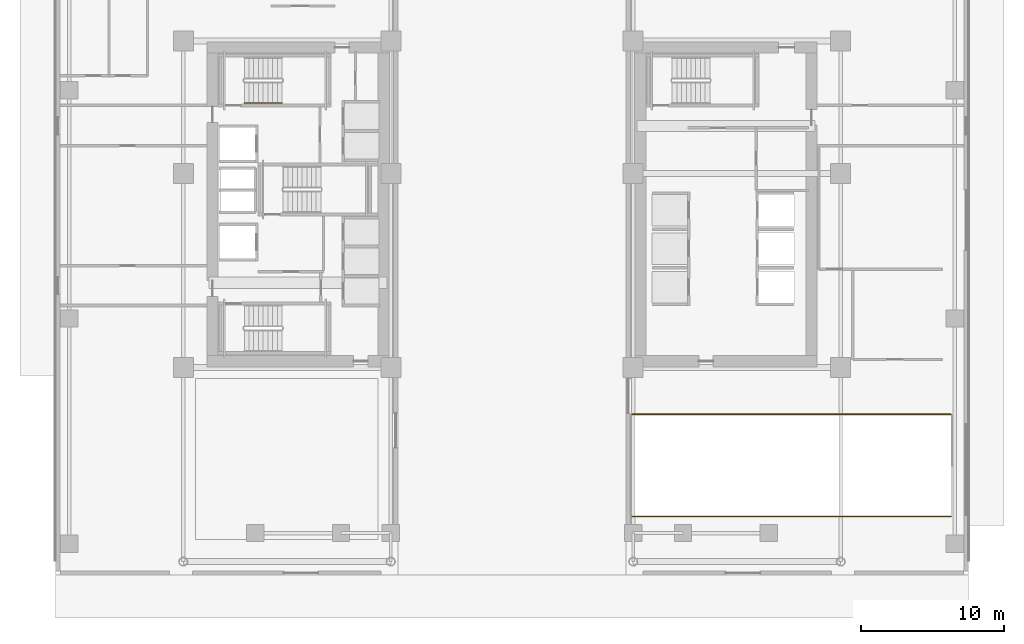
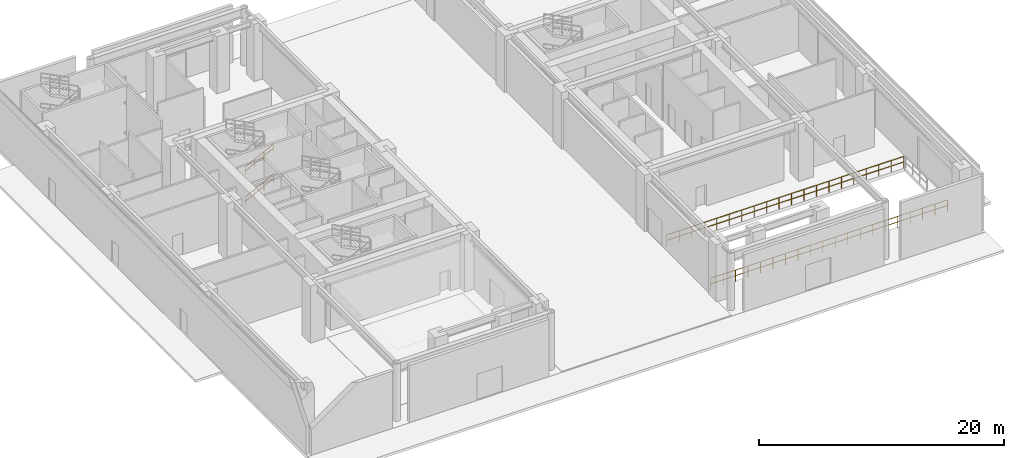
# One storey, part 13 of 17: 4 railings.
"""IFC4 building model written with IfcOpenShell, lengths in metres."""

from ifc_helpers import new_model, si_unit, direction, frame, origin, origin_2d, place, context, subcontext, project, spatial, rectangle, extrude, material, type_object, element, save


model = new_model("IFC4")

# Units and contexts
model_context = context("Model", 3, precision=1e-05, world=origin(), true_north=direction((0.0, 1.0)))
body_context = subcontext(model_context, "Body", "Model", "MODEL_VIEW")
ifc_project = project(units=[si_unit("LENGTHUNIT", "METRE"), si_unit("AREAUNIT", "SQUARE_METRE"), si_unit("VOLUMEUNIT", "CUBIC_METRE"), si_unit("PLANEANGLEUNIT", "RADIAN"), si_unit("MASSUNIT", "GRAM", prefix="KILO")], contexts=[model_context])

# Site, building, storey
site_placement = place(None, origin())
site = spatial("IfcSite", under=ifc_project, at=site_placement, CompositionType="ELEMENT")
building_placement = place(site_placement, origin())
building = spatial("IfcBuilding", under=site, at=building_placement, Name="Ocotamira Hotel", CompositionType="ELEMENT")
storey_placement = place(building_placement, origin())
storey = spatial("IfcBuildingStorey", under=building, at=storey_placement, Name="L01", CompositionType="ELEMENT", Elevation=0.0)

# Railings
ifc_material_1 = material(Name="Painted steel stair guardrail", Category="steel")
railing_type_1 = type_object("IfcRailingType", Name="RL-EDGE-1150", PredefinedType="GUARDRAIL", material=ifc_material_1)
railing_1_placement = place(storey_placement, frame((62.780029296875, 11.280029296875, 0.0)))
element("IfcRailing", 1, at=railing_1_placement, inside=storey, type_object=railing_type_1, Name="L01 Vehicle Ramp Well Guardrail N", PredefinedType="GUARDRAIL", context=body_context, shape_type="SweptSolid", body=[
    extrude(rectangle(XDim=0.048095703125, YDim=0.048095703125, at=origin_2d()), frame((0.0, 0.0, 1.1259765625), z_axis=(-1.0, 0.0, 0.0), x_axis=(0.0, -1.0, 0.0)), (0.0, 0.0, 1.0), 22.360107421875),
    extrude(rectangle(XDim=0.048095703125, YDim=0.048095703125, at=origin_2d()), frame((0.0, 0.0, 0.574951171875), z_axis=(-1.0, 0.0, 0.0), x_axis=(0.0, -1.0, 0.0)), (0.0, 0.0, 1.0), 22.360107421875),
    extrude(rectangle(XDim=0.0419921875, YDim=0.0419921875, at=origin_2d()), origin(), (0.0, 0.0, 1.0), 1.101806640625),
    extrude(rectangle(XDim=0.0419921875, YDim=0.0419921875, at=origin_2d()), frame((-1.1767578125, 0.0, 0.0)), (0.0, 0.0, 1.0), 1.101806640625),
    extrude(rectangle(XDim=0.0419921875, YDim=0.0419921875, at=origin_2d()), frame((-2.353759765625, 0.0, 0.0)), (0.0, 0.0, 1.0), 1.101806640625),
    extrude(rectangle(XDim=0.0419921875, YDim=0.0419921875, at=origin_2d()), frame((-3.530517578125, 0.0, 0.0)), (0.0, 0.0, 1.0), 1.101806640625),
    extrude(rectangle(XDim=0.0419921875, YDim=0.0419921875, at=origin_2d()), frame((-4.707275390625, 0.0, 0.0)), (0.0, 0.0, 1.0), 1.101806640625),
    extrude(rectangle(XDim=0.0419921875, YDim=0.0419921875, at=origin_2d()), frame((-5.88427734375, 0.0, 0.0)), (0.0, 0.0, 1.0), 1.101806640625),
    extrude(rectangle(XDim=0.0419921875, YDim=0.0419921875, at=origin_2d()), frame((-7.06103515625, 0.0, 0.0)), (0.0, 0.0, 1.0), 1.101806640625),
    extrude(rectangle(XDim=0.0419921875, YDim=0.0419921875, at=origin_2d()), frame((-8.238037109375, 0.0, 0.0)), (0.0, 0.0, 1.0), 1.101806640625),
    extrude(rectangle(XDim=0.0419921875, YDim=0.0419921875, at=origin_2d()), frame((-9.414794921875, 0.0, 0.0)), (0.0, 0.0, 1.0), 1.101806640625),
    extrude(rectangle(XDim=0.0419921875, YDim=0.0419921875, at=origin_2d()), frame((-10.591552734375, 0.0, 0.0)), (0.0, 0.0, 1.0), 1.101806640625),
    extrude(rectangle(XDim=0.0419921875, YDim=0.0419921875, at=origin_2d()), frame((-11.7685546875, 0.0, 0.0)), (0.0, 0.0, 1.0), 1.101806640625),
    extrude(rectangle(XDim=0.0419921875, YDim=0.0419921875, at=origin_2d()), frame((-12.9453125, 0.0, 0.0)), (0.0, 0.0, 1.0), 1.101806640625),
    extrude(rectangle(XDim=0.0419921875, YDim=0.0419921875, at=origin_2d()), frame((-14.1220703125, 0.0, 0.0)), (0.0, 0.0, 1.0), 1.101806640625),
    extrude(rectangle(XDim=0.0419921875, YDim=0.0419921875, at=origin_2d()), frame((-15.299072265625, 0.0, 0.0)), (0.0, 0.0, 1.0), 1.101806640625),
    extrude(rectangle(XDim=0.0419921875, YDim=0.0419921875, at=origin_2d()), frame((-16.475830078125, 0.0, 0.0)), (0.0, 0.0, 1.0), 1.101806640625),
    extrude(rectangle(XDim=0.0419921875, YDim=0.0419921875, at=origin_2d()), frame((-17.65283203125, 0.0, 0.0)), (0.0, 0.0, 1.0), 1.101806640625),
    extrude(rectangle(XDim=0.0419921875, YDim=0.0419921875, at=origin_2d()), frame((-18.82958984375, 0.0, 0.0)), (0.0, 0.0, 1.0), 1.101806640625),
    extrude(rectangle(XDim=0.0419921875, YDim=0.0419921875, at=origin_2d()), frame((-20.00634765625, 0.0, 0.0)), (0.0, 0.0, 1.0), 1.101806640625),
    extrude(rectangle(XDim=0.0419921875, YDim=0.0419921875, at=origin_2d()), frame((-21.183349609375, 0.0, 0.0)), (0.0, 0.0, 1.0), 1.101806640625),
    extrude(rectangle(XDim=0.0419921875, YDim=0.0419921875, at=origin_2d()), frame((-22.360107421875, 0.0, 0.0)), (0.0, 0.0, 1.0), 1.101806640625),
])
railing_2_placement = place(storey_placement, frame((40.419921875, 4.1201171875, 0.0)))
element("IfcRailing", 2, at=railing_2_placement, inside=storey, type_object=railing_type_1, Name="L01 Vehicle Ramp Well Guardrail S", PredefinedType="GUARDRAIL", context=body_context, shape_type="SweptSolid", body=[
    extrude(rectangle(XDim=0.048095703125, YDim=0.048095703125, at=origin_2d()), frame((0.0, 0.0, 1.1259765625), z_axis=(1.0, 0.0, 0.0), x_axis=(0.0, 1.0, 0.0)), (0.0, 0.0, 1.0), 22.360107421875),
    extrude(rectangle(XDim=0.048095703125, YDim=0.048095703125, at=origin_2d()), frame((0.0, 0.0, 0.574951171875), z_axis=(1.0, 0.0, 0.0), x_axis=(0.0, 1.0, 0.0)), (0.0, 0.0, 1.0), 22.360107421875),
    extrude(rectangle(XDim=0.0419921875, YDim=0.0419921875, at=origin_2d()), origin(), (0.0, 0.0, 1.0), 1.101806640625),
    extrude(rectangle(XDim=0.0419921875, YDim=0.0419921875, at=origin_2d()), frame((1.1767578125, 0.0, 0.0)), (0.0, 0.0, 1.0), 1.101806640625),
    extrude(rectangle(XDim=0.0419921875, YDim=0.0419921875, at=origin_2d()), frame((2.353759765625, 0.0, 0.0)), (0.0, 0.0, 1.0), 1.101806640625),
    extrude(rectangle(XDim=0.0419921875, YDim=0.0419921875, at=origin_2d()), frame((3.530517578125, 0.0, 0.0)), (0.0, 0.0, 1.0), 1.101806640625),
    extrude(rectangle(XDim=0.0419921875, YDim=0.0419921875, at=origin_2d()), frame((4.707275390625, 0.0, 0.0)), (0.0, 0.0, 1.0), 1.101806640625),
    extrude(rectangle(XDim=0.0419921875, YDim=0.0419921875, at=origin_2d()), frame((5.88427734375, 0.0, 0.0)), (0.0, 0.0, 1.0), 1.101806640625),
    extrude(rectangle(XDim=0.0419921875, YDim=0.0419921875, at=origin_2d()), frame((7.06103515625, 0.0, 0.0)), (0.0, 0.0, 1.0), 1.101806640625),
    extrude(rectangle(XDim=0.0419921875, YDim=0.0419921875, at=origin_2d()), frame((8.238037109375, 0.0, 0.0)), (0.0, 0.0, 1.0), 1.101806640625),
    extrude(rectangle(XDim=0.0419921875, YDim=0.0419921875, at=origin_2d()), frame((9.414794921875, 0.0, 0.0)), (0.0, 0.0, 1.0), 1.101806640625),
    extrude(rectangle(XDim=0.0419921875, YDim=0.0419921875, at=origin_2d()), frame((10.591552734375, 0.0, 0.0)), (0.0, 0.0, 1.0), 1.101806640625),
    extrude(rectangle(XDim=0.0419921875, YDim=0.0419921875, at=origin_2d()), frame((11.7685546875, 0.0, 0.0)), (0.0, 0.0, 1.0), 1.101806640625),
    extrude(rectangle(XDim=0.0419921875, YDim=0.0419921875, at=origin_2d()), frame((12.9453125, 0.0, 0.0)), (0.0, 0.0, 1.0), 1.101806640625),
    extrude(rectangle(XDim=0.0419921875, YDim=0.0419921875, at=origin_2d()), frame((14.1220703125, 0.0, 0.0)), (0.0, 0.0, 1.0), 1.101806640625),
    extrude(rectangle(XDim=0.0419921875, YDim=0.0419921875, at=origin_2d()), frame((15.299072265625, 0.0, 0.0)), (0.0, 0.0, 1.0), 1.101806640625),
    extrude(rectangle(XDim=0.0419921875, YDim=0.0419921875, at=origin_2d()), frame((16.475830078125, 0.0, 0.0)), (0.0, 0.0, 1.0), 1.101806640625),
    extrude(rectangle(XDim=0.0419921875, YDim=0.0419921875, at=origin_2d()), frame((17.65283203125, 0.0, 0.0)), (0.0, 0.0, 1.0), 1.101806640625),
    extrude(rectangle(XDim=0.0419921875, YDim=0.0419921875, at=origin_2d()), frame((18.82958984375, 0.0, 0.0)), (0.0, 0.0, 1.0), 1.101806640625),
    extrude(rectangle(XDim=0.0419921875, YDim=0.0419921875, at=origin_2d()), frame((20.00634765625, 0.0, 0.0)), (0.0, 0.0, 1.0), 1.101806640625),
    extrude(rectangle(XDim=0.0419921875, YDim=0.0419921875, at=origin_2d()), frame((21.183349609375, 0.0, 0.0)), (0.0, 0.0, 1.0), 1.101806640625),
    extrude(rectangle(XDim=0.0419921875, YDim=0.0419921875, at=origin_2d()), frame((22.360107421875, 0.0, 0.0)), (0.0, 0.0, 1.0), 1.101806640625),
])
ifc_material_2 = material(Name="Brushed stainless steel handrail", Category="steel")
railing_type_2 = type_object("IfcRailingType", Name="RL-HAND-900", PredefinedType="HANDRAIL", material=ifc_material_2)
for number, where, name in (
    (3, (13.22998046875, 33.10009765625, 0.333251953125), "L01 ST-2 stair handrail 1"),
    (4, (13.22998046875, 33.10009765625, 3.333251953125), "L01 ST-2 stair handrail 3"),
):
    element("IfcRailing", number, at=place(storey_placement, frame(where)), inside=storey, type_object=railing_type_2, Name=name, PredefinedType="HANDRAIL", context=body_context, shape_type="SweptSolid", body=[
        extrude(rectangle(XDim=0.048095703125, YDim=0.048095703125, at=origin_2d()), frame((0.0, 0.0, 0.8759765625), z_axis=(0.892603904193, 0.0, 0.450841735223), x_axis=(0.0, 1.0, 0.0)), (0.0, 0.0, 1.0), 2.957763671875),
        extrude(rectangle(XDim=0.048095703125, YDim=0.048095703125, at=origin_2d()), frame((0.0, 0.0, 0.449951171875), z_axis=(0.892603904193, 0.0, 0.450841735223), x_axis=(0.0, 1.0, 0.0)), (0.0, 0.0, 1.0), 2.957763671875),
        extrude(rectangle(XDim=0.0419921875, YDim=0.0419921875, at=origin_2d()), origin(), (0.0, 0.0, 1.0), 0.851806640625),
        extrude(rectangle(XDim=0.0419921875, YDim=0.0419921875, at=origin_2d()), frame((0.880126953125, 0.0, 0.444580078125)), (0.0, 0.0, 1.0), 0.851806640625),
        extrude(rectangle(XDim=0.0419921875, YDim=0.0419921875, at=origin_2d()), frame((1.760009765625, 0.0, 0.888916015625)), (0.0, 0.0, 1.0), 0.851806640625),
        extrude(rectangle(XDim=0.0419921875, YDim=0.0419921875, at=origin_2d()), frame((2.64013671875, 0.0, 1.33349609375)), (0.0, 0.0, 1.0), 0.851806640625),
    ])

save(model, "model.ifc")
